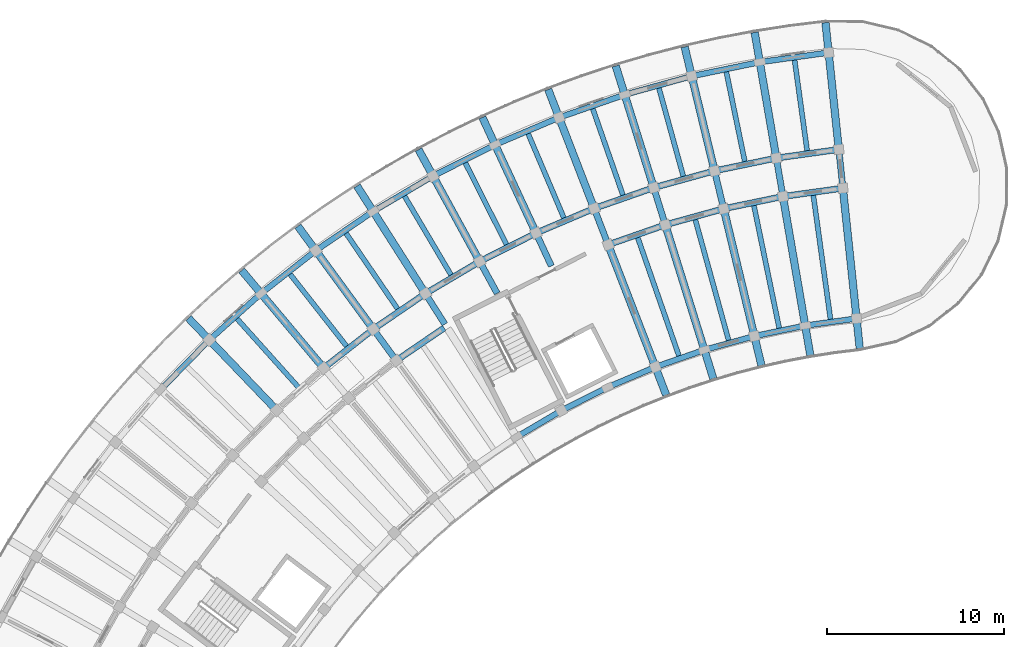
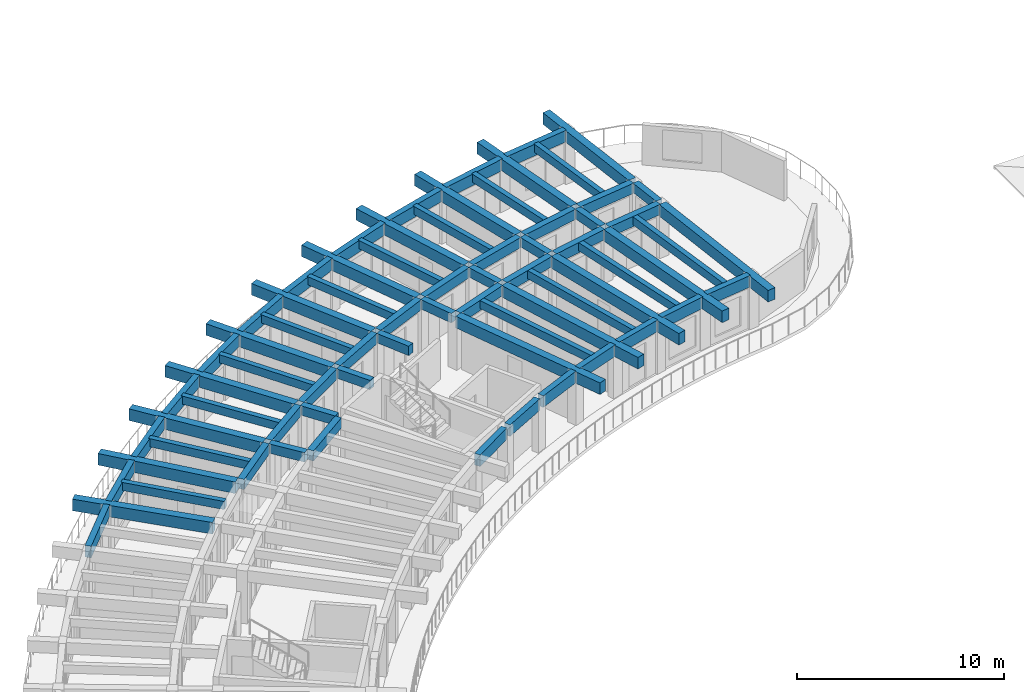
# One storey, part 14 of 81: 71 beams.
"""IFC4 building model written with IfcOpenShell, lengths in metres."""

from ifc_helpers import new_model, si_unit, direction, frame, origin, origin_2d, place, context, subcontext, project, spatial, rectangle, extrude, material, material_profile, profile_set, type_object, element, save


model = new_model("IFC4")

# Units and contexts
model_context = context("Model", 3, precision=1e-05, world=origin(), true_north=direction((0.0, 1.0)))
body_context = subcontext(model_context, "Body", "Model", "MODEL_VIEW")
ifc_project = project(units=[si_unit("LENGTHUNIT", "METRE"), si_unit("AREAUNIT", "SQUARE_METRE"), si_unit("VOLUMEUNIT", "CUBIC_METRE"), si_unit("PLANEANGLEUNIT", "RADIAN"), si_unit("MASSUNIT", "GRAM", prefix="KILO")], contexts=[model_context])

# Site, building, storey
site_placement = place(None, origin())
site = spatial("IfcSite", under=ifc_project, at=site_placement, CompositionType="ELEMENT")
building_placement = place(site_placement, origin())
building = spatial("IfcBuilding", under=site, at=building_placement, Name="Tanwirah Colonnade Gardens", CompositionType="ELEMENT")
storey_placement = place(building_placement, frame((0.0, 0.0, 8.840087890625)))
storey = spatial("IfcBuildingStorey", under=building, at=storey_placement, Name="L02", CompositionType="ELEMENT", Elevation=8.840087890625)

# Beams
ifc_material_1 = material(Name="Precast concrete C40/50", Category="concrete")
ifc_material_profile_1 = material_profile(ifc_material_1, rectangle(XDim=0.35009765625, YDim=0.550048828125, at=origin_2d()), Name="PC-BM 350x550")
ifc_profile_set_1 = profile_set([ifc_material_profile_1], Name="Precast concrete C40/50")
beam_type_1 = type_object("IfcBeamType", Name="BM-PC350A", PredefinedType="BEAM", material=ifc_profile_set_1)
for number, where, z_axis, x_axis, name in (
    (1, (59.564453125, 111.9150390625, 2.829833984375), (-0.104464057197, 0.994528662611, 0.0), (-0.994528662611, -0.104464057197, 0.0), "Block A L02 Corridor Tie Beam 0"),
    (2, (56.1689453125, 111.444580078125, 2.829833984375), (-0.169855285462, 0.985469016256, 0.0), (-0.985469016256, -0.169855285462, 0.0), "Block A L02 Corridor Tie Beam 1"),
    (3, (52.811767578125, 110.75146484375, 2.829833984375), (-0.234364199778, 0.972148868159, 0.0), (-0.972148868159, -0.234364199778, 0.0), "Block A L02 Corridor Tie Beam 2"),
):
    element("IfcBeam", number, at=place(storey_placement, frame(where, z_axis=z_axis, x_axis=x_axis)), inside=storey, type_object=beam_type_1, Name=name, PredefinedType="BEAM", context=body_context, shape_type="SweptSolid", body=[
        extrude(rectangle(XDim=0.35009765625, YDim=0.550048828125, at=origin_2d()), origin(), (0.0, 0.0, 1.0), 1.900146484375),
    ])
for number, where, z_axis, x_axis, name in (
    (4, (49.507568359375, 109.838623046875, 2.829833984375), (-0.297857918398, 0.954610213882, 0.0), (-0.954610213882, -0.297857918398, 0.0), "Block A L02 Corridor Tie Beam 3"),
    (5, (46.270751953125, 108.7099609375, 2.829833984375), (-0.360175656082, 0.932884503444, 0.0), (-0.932884503444, -0.360175656082, 0.0), "Block A L02 Corridor Tie Beam 4"),
    (6, (43.115234375, 107.37060546875, 2.829833984375), (-0.420858322681, 0.90712638162, 0.0), (-0.90712638162, -0.420858322681, 0.0), "Block A L02 Corridor Tie Beam 5"),
    (7, (40.054931640625, 105.826171875, 2.829833984375), (-0.479707235792, 0.877428611301, 0.0), (-0.877428611301, -0.479707235792, 0.0), "Block A L02 Corridor Tie Beam 6"),
    (8, (37.10302734375, 104.08349609375, 2.829833984375), (-0.536509579595, 0.843894229749, 0.0), (-0.843894229749, -0.536509579595, 0.0), "Block A L02 Corridor Tie Beam 7"),
):
    element("IfcBeam", number, at=place(storey_placement, frame(where, z_axis=z_axis, x_axis=x_axis)), inside=storey, type_object=beam_type_1, Name=name, PredefinedType="BEAM", context=body_context, shape_type="SweptSolid", body=[
        extrude(rectangle(XDim=0.35009765625, YDim=0.550048828125, at=origin_2d()), origin(), (0.0, 0.0, 1.0), 1.89990234375),
    ])
beam_1_placement = place(storey_placement, frame((34.272216796875, 102.14990234375, 2.829833984375), z_axis=(-0.590895676149, 0.806747977939, 0.0), x_axis=(-0.806747977939, -0.590895676149, 0.0)))
element("IfcBeam", 9, at=beam_1_placement, inside=storey, type_object=beam_type_1, Name="Block A L02 Corridor Tie Beam 8", PredefinedType="BEAM", context=body_context, shape_type="SweptSolid", body=[
    extrude(rectangle(XDim=0.35009765625, YDim=0.550048828125, at=origin_2d()), origin(), (0.0, 0.0, 1.0), 1.900146484375),
])
ifc_material_profile_2 = material_profile(ifc_material_1, rectangle(XDim=0.35009765625, YDim=0.60009765625, at=origin_2d()), Name="PC-BM 350x600")
ifc_profile_set_2 = profile_set([ifc_material_profile_2], Name="Precast concrete C40/50")
beam_type_2 = type_object("IfcBeamType", Name="BM-PC350B", PredefinedType="BEAM", material=ifc_profile_set_2)
beam_2_placement = place(storey_placement, frame((59.431640625, 111.745361328125, 2.804931640625), z_axis=(-0.990535787723, -0.137254702069, 0.0), x_axis=(0.137254702069, -0.990535787723, 0.0)))
element("IfcBeam", 10, at=beam_2_placement, inside=storey, type_object=beam_type_2, Name="Block A L02 Circumferential Beam 0-R1", PredefinedType="BEAM", context=body_context, shape_type="SweptSolid", body=[
    extrude(rectangle(XDim=0.35009765625, YDim=0.60009765625, at=origin_2d()), origin(), (0.0, 0.0, 1.0), 3.1181640625),
])
beam_3_placement = place(storey_placement, frame((59.20166015625, 113.933349609375, 2.804931640625), z_axis=(-0.990530465749, -0.13729310406, 0.0), x_axis=(0.13729310406, -0.990530465749, 0.0)))
element("IfcBeam", 11, at=beam_3_placement, inside=storey, type_object=beam_type_2, Name="Block A L02 Circumferential Beam 0-R2", PredefinedType="BEAM", context=body_context, shape_type="SweptSolid", body=[
    extrude(rectangle(XDim=0.35009765625, YDim=0.60009765625, at=origin_2d()), origin(), (0.0, 0.0, 1.0), 3.26318359375),
])
beam_4_placement = place(storey_placement, frame((56.047607421875, 111.2666015625, 2.804931640625), z_axis=(-0.979335880607, -0.202240532428, 0.0), x_axis=(0.202240532428, -0.979335880607, 0.0)))
element("IfcBeam", 12, at=beam_4_placement, inside=storey, type_object=beam_type_2, Name="Block A L02 Circumferential Beam 1-R1", PredefinedType="BEAM", context=body_context, shape_type="SweptSolid", body=[
    extrude(rectangle(XDim=0.35009765625, YDim=0.60009765625, at=origin_2d()), origin(), (0.0, 0.0, 1.0), 3.1181640625),
])
beam_5_placement = place(storey_placement, frame((55.673828125, 113.4345703125, 2.804931640625), z_axis=(-0.979335599813, -0.202241892146, 0.0), x_axis=(0.202241892146, -0.979335599813, 0.0)))
element("IfcBeam", 13, at=beam_5_placement, inside=storey, type_object=beam_type_2, Name="Block A L02 Circumferential Beam 1-R2", PredefinedType="BEAM", context=body_context, shape_type="SweptSolid", body=[
    extrude(rectangle(XDim=0.35009765625, YDim=0.60009765625, at=origin_2d()), origin(), (0.0, 0.0, 1.0), 3.262939453125),
])
beam_6_placement = place(storey_placement, frame((52.702392578125, 110.565673828125, 2.804931640625), z_axis=(-0.963894965188, -0.266282737114, 0.0), x_axis=(0.266282737114, -0.963894965188, 0.0)))
element("IfcBeam", 14, at=beam_6_placement, inside=storey, type_object=beam_type_2, Name="Block A L02 Circumferential Beam 2-R1", PredefinedType="BEAM", context=body_context, shape_type="SweptSolid", body=[
    extrude(rectangle(XDim=0.35009765625, YDim=0.60009765625, at=origin_2d()), origin(), (0.0, 0.0, 1.0), 3.1181640625),
])
beam_7_placement = place(storey_placement, frame((52.186767578125, 112.704345703125, 2.804931640625), z_axis=(-0.9638953302, -0.266281415833, 0.0), x_axis=(0.266281415833, -0.9638953302, 0.0)))
element("IfcBeam", 15, at=beam_7_placement, inside=storey, type_object=beam_type_2, Name="Block A L02 Circumferential Beam 2-R2", PredefinedType="BEAM", context=body_context, shape_type="SweptSolid", body=[
    extrude(rectangle(XDim=0.35009765625, YDim=0.60009765625, at=origin_2d()), origin(), (0.0, 0.0, 1.0), 3.26318359375),
])
beam_8_placement = place(storey_placement, frame((49.41064453125, 109.64599609375, 2.804931640625), z_axis=(-0.944248304077, -0.329234172358, 0.0), x_axis=(0.329234172358, -0.944248304077, 0.0)))
element("IfcBeam", 16, at=beam_8_placement, inside=storey, type_object=beam_type_2, Name="Block A L02 Circumferential Beam 3-R1", PredefinedType="BEAM", context=body_context, shape_type="SweptSolid", body=[
    extrude(rectangle(XDim=0.35009765625, YDim=0.60009765625, at=origin_2d()), origin(), (0.0, 0.0, 1.0), 3.1181640625),
])
for number, where, z_axis, x_axis, name in (
    (17, (48.755126953125, 111.74609375, 2.804931640625), (-0.944231021702, -0.329283734272, 0.0), (0.329283734272, -0.944231021702, 0.0), "Block A L02 Circumferential Beam 3-R2"),
    (18, (45.394287109375, 110.563720703125, 2.804931640625), (-0.920513294115, -0.390711242938, 0.0), (0.390711242938, -0.920513294115, 0.0), "Block A L02 Circumferential Beam 4-R2"),
):
    element("IfcBeam", number, at=place(storey_placement, frame(where, z_axis=z_axis, x_axis=x_axis)), inside=storey, type_object=beam_type_2, Name=name, PredefinedType="BEAM", context=body_context, shape_type="SweptSolid", body=[
        extrude(rectangle(XDim=0.35009765625, YDim=0.60009765625, at=origin_2d()), origin(), (0.0, 0.0, 1.0), 3.262939453125),
    ])
for number, where, z_axis, x_axis, name in (
    (19, (42.11865234375, 109.16259765625, 2.804931640625), (-0.89276014323, -0.450532270387, 0.0), (0.450532270387, -0.89276014323, 0.0), "Block A L02 Circumferential Beam 5-R2"),
    (20, (38.9423828125, 107.548583984375, 2.804931640625), (-0.861134978964, -0.508376384193, 0.0), (0.508376384193, -0.861134978964, 0.0), "Block A L02 Circumferential Beam 6-R2"),
):
    element("IfcBeam", number, at=place(storey_placement, frame(where, z_axis=z_axis, x_axis=x_axis)), inside=storey, type_object=beam_type_2, Name=name, PredefinedType="BEAM", context=body_context, shape_type="SweptSolid", body=[
        extrude(rectangle(XDim=0.35009765625, YDim=0.60009765625, at=origin_2d()), origin(), (0.0, 0.0, 1.0), 3.26318359375),
    ])
beam_9_placement = place(storey_placement, frame((37.0595703125, 103.872314453125, 2.804931640625), z_axis=(-0.825758291455, -0.564024152047, 0.0), x_axis=(0.564024152047, -0.825758291455, 0.0)))
element("IfcBeam", 21, at=beam_9_placement, inside=storey, type_object=beam_type_2, Name="Block A L02 Circumferential Beam 7-R1", PredefinedType="BEAM", context=body_context, shape_type="SweptSolid", body=[
    extrude(rectangle(XDim=0.35009765625, YDim=0.60009765625, at=origin_2d()), origin(), (0.0, 0.0, 1.0), 3.118408203125),
])
for number, where, z_axis, x_axis, name in (
    (22, (35.87939453125, 105.728759765625, 2.804931640625), (-0.825782284145, -0.563989024, 0.0), (0.563989024, -0.825782284145, 0.0), "Block A L02 Circumferential Beam 7-R2"),
    (23, (32.94287109375, 103.711181640625, 2.804931640625), (-0.786839882256, -0.617157192044, 0.0), (0.617157192044, -0.786839882256, 0.0), "Block A L02 Circumferential Beam 8-R2"),
):
    element("IfcBeam", number, at=place(storey_placement, frame(where, z_axis=z_axis, x_axis=x_axis)), inside=storey, type_object=beam_type_2, Name=name, PredefinedType="BEAM", context=body_context, shape_type="SweptSolid", body=[
        extrude(rectangle(XDim=0.35009765625, YDim=0.60009765625, at=origin_2d()), origin(), (0.0, 0.0, 1.0), 3.26318359375),
    ])
ifc_material_2 = material(Name="Precast concrete C45/55", Category="concrete")
ifc_material_profile_3 = material_profile(ifc_material_2, rectangle(XDim=0.419921875, YDim=0.679931640625, at=origin_2d()), Name="PC-BM 420x680")
ifc_profile_set_3 = profile_set([ifc_material_profile_3], Name="Precast concrete C45/55")
beam_type_3 = type_object("IfcBeamType", Name="BM-PC420", PredefinedType="BEAM", material=ifc_profile_set_3)
beam_10_placement = place(storey_placement, frame((59.595947265625, 111.61669921875, 2.764892578125), z_axis=(0.104531425475, -0.994521584023, 0.0), x_axis=(0.994521584023, 0.104531425475, 0.0)))
element("IfcBeam", 24, at=beam_10_placement, inside=storey, type_object=beam_type_3, Name="Block A L02 Inner Radial Precast Girder 0", PredefinedType="BEAM", context=body_context, shape_type="SweptSolid", body=[
    extrude(rectangle(XDim=0.419921875, YDim=0.679931640625, at=origin_2d()), origin(), (0.0, 0.0, 1.0), 8.949951171875),
])
beam_11_placement = place(storey_placement, frame((59.33447265625, 114.10302734375, 2.764892578125), z_axis=(-0.104511730475, 0.994523653913, 0.0), x_axis=(-0.994523653913, -0.104511730475, 0.0)))
element("IfcBeam", 25, at=beam_11_placement, inside=storey, type_object=beam_type_3, Name="Block A L02 Outer Radial Precast Girder 0", PredefinedType="BEAM", context=body_context, shape_type="SweptSolid", body=[
    extrude(rectangle(XDim=0.419921875, YDim=0.679931640625, at=origin_2d()), origin(), (0.0, 0.0, 1.0), 7.050048828125),
])
beam_12_placement = place(storey_placement, frame((56.219970703125, 111.14892578125, 2.764892578125), z_axis=(0.169837490725, -0.985472083189, 0.0), x_axis=(0.985472083189, 0.169837490725, 0.0)))
element("IfcBeam", 26, at=beam_12_placement, inside=storey, type_object=beam_type_3, Name="Block A L02 Inner Radial Precast Girder 1", PredefinedType="BEAM", context=body_context, shape_type="SweptSolid", body=[
    extrude(rectangle(XDim=0.419921875, YDim=0.679931640625, at=origin_2d()), origin(), (0.0, 0.0, 1.0), 8.949951171875),
])
beam_13_placement = place(storey_placement, frame((55.79541015625, 113.61279296875, 2.764892578125), z_axis=(-0.169826898404, 0.985473908624, 0.0), x_axis=(-0.985473908624, -0.169826898404, 0.0)))
element("IfcBeam", 27, at=beam_13_placement, inside=storey, type_object=beam_type_3, Name="Block A L02 Outer Radial Precast Girder 1", PredefinedType="BEAM", context=body_context, shape_type="SweptSolid", body=[
    extrude(rectangle(XDim=0.419921875, YDim=0.679931640625, at=origin_2d()), origin(), (0.0, 0.0, 1.0), 7.0498046875),
])
beam_14_placement = place(storey_placement, frame((52.882080078125, 110.459716796875, 2.764892578125), z_axis=(0.234401428133, -0.972139892448, 0.0), x_axis=(0.972139892448, 0.234401428133, 0.0)))
element("IfcBeam", 28, at=beam_14_placement, inside=storey, type_object=beam_type_3, Name="Block A L02 Inner Radial Precast Girder 2", PredefinedType="BEAM", context=body_context, shape_type="SweptSolid", body=[
    extrude(rectangle(XDim=0.419921875, YDim=0.679931640625, at=origin_2d()), origin(), (0.0, 0.0, 1.0), 8.949951171875),
])
beam_15_placement = place(storey_placement, frame((52.296142578125, 112.89013671875, 2.764892578125), z_axis=(-0.234378734126, 0.972145364125, 0.0), x_axis=(-0.972145364125, -0.234378734126, 0.0)))
element("IfcBeam", 29, at=beam_15_placement, inside=storey, type_object=beam_type_3, Name="Block A L02 Outer Radial Precast Girder 2", PredefinedType="BEAM", context=body_context, shape_type="SweptSolid", body=[
    extrude(rectangle(XDim=0.419921875, YDim=0.679931640625, at=origin_2d()), origin(), (0.0, 0.0, 1.0), 7.0498046875),
])
beam_16_placement = place(storey_placement, frame((49.596923828125, 109.55224609375, 2.764892578125), z_axis=(0.29792861283, -0.9545881529, 0.0), x_axis=(0.9545881529, 0.29792861283, 0.0)))
element("IfcBeam", 30, at=beam_16_placement, inside=storey, type_object=beam_type_3, Name="Block A L02 Inner Radial Precast Girder 3", PredefinedType="BEAM", context=body_context, shape_type="SweptSolid", body=[
    extrude(rectangle(XDim=0.419921875, YDim=0.679931640625, at=origin_2d()), origin(), (0.0, 0.0, 1.0), 8.9501953125),
])
beam_17_placement = place(storey_placement, frame((48.852294921875, 111.938720703125, 2.764892578125), z_axis=(-0.297957513373, 0.954579132511, 0.0), x_axis=(-0.954579132511, -0.297957513373, 0.0)))
element("IfcBeam", 31, at=beam_17_placement, inside=storey, type_object=beam_type_3, Name="Block A L02 Outer Radial Precast Girder 3", PredefinedType="BEAM", context=body_context, shape_type="SweptSolid", body=[
    extrude(rectangle(XDim=0.419921875, YDim=0.679931640625, at=origin_2d()), origin(), (0.0, 0.0, 1.0), 7.050048828125),
])
beam_18_placement = place(storey_placement, frame((46.37890625, 108.43017578125, 2.764892578125), z_axis=(0.360155980892, -0.932892099563, 0.0), x_axis=(0.932892099563, 0.360155980892, 0.0)))
element("IfcBeam", 32, at=beam_18_placement, inside=storey, type_object=beam_type_3, Name="Block A L02 Inner Radial Precast Girder 4", PredefinedType="BEAM", context=body_context, shape_type="SweptSolid", body=[
    extrude(rectangle(XDim=0.419921875, YDim=0.679931640625, at=origin_2d()), origin(), (0.0, 0.0, 1.0), 8.949951171875),
])
for number, where, z_axis, x_axis, name in (
    (33, (45.478271484375, 110.76220703125, 2.764892578125), (-0.360150678391, 0.932894146651, 0.0), (-0.932894146651, -0.360150678391, 0.0), "Block A L02 Outer Radial Precast Girder 4"),
    (34, (42.189453125, 109.3662109375, 2.764892578125), (-0.420855908645, 0.9071275016, 0.0), (-0.9071275016, -0.420855908645, 0.0), "Block A L02 Outer Radial Precast Girder 5"),
    (35, (38.99951171875, 107.75634765625, 2.764892578125), (-0.479686549155, 0.877439920769, 0.0), (-0.877439920769, -0.479686549155, 0.0), "Block A L02 Outer Radial Precast Girder 6"),
    (36, (35.922607421875, 105.93994140625, 2.764892578125), (-0.536476584537, 0.8439152056, 0.0), (-0.8439152056, -0.536476584537, 0.0), "Block A L02 Outer Radial Precast Girder 7"),
    (37, (32.97216796875, 103.9248046875, 2.764892578125), (-0.590919194225, 0.806730751798, 0.0), (-0.806730751798, -0.590919194225, 0.0), "Block A L02 Outer Radial Precast Girder 8"),
):
    element("IfcBeam", number, at=place(storey_placement, frame(where, z_axis=z_axis, x_axis=x_axis)), inside=storey, type_object=beam_type_3, Name=name, PredefinedType="BEAM", context=body_context, shape_type="SweptSolid", body=[
        extrude(rectangle(XDim=0.419921875, YDim=0.679931640625, at=origin_2d()), origin(), (0.0, 0.0, 1.0), 7.050048828125),
    ])
beam_19_placement = place(storey_placement, frame((30.160888671875, 101.7197265625, 2.764892578125), z_axis=(-0.642810291951, 0.766025409867, 0.0), x_axis=(-0.766025409867, -0.642810291951, 0.0)))
element("IfcBeam", 38, at=beam_19_placement, inside=storey, type_object=beam_type_3, Name="Block A L02 Outer Radial Precast Girder 9", PredefinedType="BEAM", context=body_context, shape_type="SweptSolid", body=[
    extrude(rectangle(XDim=0.419921875, YDim=0.679931640625, at=origin_2d()), origin(), (0.0, 0.0, 1.0), 7.0498046875),
])
beam_20_placement = place(storey_placement, frame((27.5009765625, 99.333984375, 2.764892578125), z_axis=(-0.691864746793, 0.722027127015, 0.0), x_axis=(-0.722027127015, -0.691864746793, 0.0)))
element("IfcBeam", 39, at=beam_20_placement, inside=storey, type_object=beam_type_3, Name="Block A L02 Outer Radial Precast Girder 10", PredefinedType="BEAM", context=body_context, shape_type="SweptSolid", body=[
    extrude(rectangle(XDim=0.419921875, YDim=0.679931640625, at=origin_2d()), origin(), (0.0, 0.0, 1.0), 7.050048828125),
])
ifc_material_profile_4 = material_profile(ifc_material_1, rectangle(XDim=0.280029296875, YDim=0.47998046875, at=origin_2d()), Name="PC-JST 280x480")
ifc_profile_set_4 = profile_set([ifc_material_profile_4], Name="Precast concrete C40/50")
beam_type_4 = type_object("IfcBeamType", Name="JST-PC280", PredefinedType="JOIST", material=ifc_profile_set_4)
beam_21_placement = place(storey_placement, frame((57.56494140625, 113.857421875, 2.864990234375), z_axis=(-0.137248344923, 0.990536668587, 0.0), x_axis=(-0.990536668587, -0.137248344923, 0.0)))
element("IfcBeam", 40, at=beam_21_placement, inside=storey, type_object=beam_type_4, Name="Block A L02 Precast Floor Joist 0", PredefinedType="JOIST", context=body_context, shape_type="SweptSolid", body=[
    extrude(rectangle(XDim=0.280029296875, YDim=0.47998046875, at=origin_2d()), origin(), (0.0, 0.0, 1.0), 5.260009765625),
])
beam_22_placement = place(storey_placement, frame((58.882568359375, 104.34814453125, 2.864990234375), z_axis=(-0.137243132462, 0.99053739081, 0.0), x_axis=(-0.99053739081, -0.137243132462, 0.0)))
element("IfcBeam", 41, at=beam_22_placement, inside=storey, type_object=beam_type_4, Name="Block A L02 Inner Precast Floor Joist 0", PredefinedType="JOIST", context=body_context, shape_type="SweptSolid", body=[
    extrude(rectangle(XDim=0.280029296875, YDim=0.47998046875, at=origin_2d()), origin(), (0.0, 0.0, 1.0), 7.16015625),
])
beam_23_placement = place(storey_placement, frame((54.0458984375, 113.2509765625, 2.864990234375), z_axis=(-0.202235688429, 0.979336880918, 0.0), x_axis=(-0.979336880918, -0.202235688429, 0.0)))
element("IfcBeam", 42, at=beam_23_placement, inside=storey, type_object=beam_type_4, Name="Block A L02 Precast Floor Joist 1", PredefinedType="JOIST", context=body_context, shape_type="SweptSolid", body=[
    extrude(rectangle(XDim=0.280029296875, YDim=0.47998046875, at=origin_2d()), origin(), (0.0, 0.0, 1.0), 5.259765625),
])
beam_24_placement = place(storey_placement, frame((55.987060546875, 103.84912109375, 2.864990234375), z_axis=(-0.202197428816, 0.979344780851, 0.0), x_axis=(-0.979344780851, -0.202197428816, 0.0)))
element("IfcBeam", 43, at=beam_24_placement, inside=storey, type_object=beam_type_4, Name="Block A L02 Inner Precast Floor Joist 1", PredefinedType="JOIST", context=body_context, shape_type="SweptSolid", body=[
    extrude(rectangle(XDim=0.280029296875, YDim=0.47998046875, at=origin_2d()), origin(), (0.0, 0.0, 1.0), 7.16015625),
])
beam_25_placement = place(storey_placement, frame((50.57421875, 112.413818359375, 2.864990234375), z_axis=(-0.266281476085, 0.963895313555, 0.0), x_axis=(-0.963895313555, -0.266281476085, 0.0)))
element("IfcBeam", 44, at=beam_25_placement, inside=storey, type_object=beam_type_4, Name="Block A L02 Precast Floor Joist 2", PredefinedType="JOIST", context=body_context, shape_type="SweptSolid", body=[
    extrude(rectangle(XDim=0.280029296875, YDim=0.47998046875, at=origin_2d()), origin(), (0.0, 0.0, 1.0), 5.260009765625),
])
beam_26_placement = place(storey_placement, frame((53.130859375, 103.16064453125, 2.864990234375), z_axis=(-0.266307034535, 0.963888252526, 0.0), x_axis=(-0.963888252526, -0.266307034535, 0.0)))
element("IfcBeam", 45, at=beam_26_placement, inside=storey, type_object=beam_type_4, Name="Block A L02 Inner Precast Floor Joist 2", PredefinedType="JOIST", context=body_context, shape_type="SweptSolid", body=[
    extrude(rectangle(XDim=0.280029296875, YDim=0.47998046875, at=origin_2d()), origin(), (0.0, 0.0, 1.0), 7.159912109375),
])
beam_27_placement = place(storey_placement, frame((47.16552734375, 111.349853515625, 2.864990234375), z_axis=(-0.3292586038, 0.944239785131, 0.0), x_axis=(-0.944239785131, -0.3292586038, 0.0)))
element("IfcBeam", 46, at=beam_27_placement, inside=storey, type_object=beam_type_4, Name="Block A L02 Precast Floor Joist 3", PredefinedType="JOIST", context=body_context, shape_type="SweptSolid", body=[
    extrude(rectangle(XDim=0.280029296875, YDim=0.47998046875, at=origin_2d()), origin(), (0.0, 0.0, 1.0), 5.260009765625),
])
beam_28_placement = place(storey_placement, frame((50.326171875, 102.28515625, 2.864990234375), z_axis=(-0.329250558112, 0.944242590642, 0.0), x_axis=(-0.944242590642, -0.329250558112, 0.0)))
element("IfcBeam", 47, at=beam_28_placement, inside=storey, type_object=beam_type_4, Name="Block A L02 Inner Precast Floor Joist 3", PredefinedType="JOIST", context=body_context, shape_type="SweptSolid", body=[
    extrude(rectangle(XDim=0.280029296875, YDim=0.47998046875, at=origin_2d()), origin(), (0.0, 0.0, 1.0), 7.159912109375),
])
beam_29_placement = place(storey_placement, frame((43.833984375, 110.063720703125, 2.864990234375), z_axis=(-0.390723870106, 0.92050793442, 0.0), x_axis=(-0.92050793442, -0.390723870106, 0.0)))
element("IfcBeam", 48, at=beam_29_placement, inside=storey, type_object=beam_type_4, Name="Block A L02 Precast Floor Joist 4", PredefinedType="JOIST", context=body_context, shape_type="SweptSolid", body=[
    extrude(rectangle(XDim=0.280029296875, YDim=0.47998046875, at=origin_2d()), origin(), (0.0, 0.0, 1.0), 5.260009765625),
])
for number, where, z_axis, x_axis, name in (
    (49, (40.5947265625, 108.560791015625, 2.864990234375), (-0.450533699488, 0.892759422031, 0.0), (-0.892759422031, -0.450533699488, 0.0), "Block A L02 Precast Floor Joist 5"),
    (50, (37.46142578125, 106.84765625, 2.864990234375), (-0.508360236823, 0.86114451146, 0.0), (-0.86114451146, -0.508360236823, 0.0), "Block A L02 Precast Floor Joist 6"),
):
    element("IfcBeam", number, at=place(storey_placement, frame(where, z_axis=z_axis, x_axis=x_axis)), inside=storey, type_object=beam_type_4, Name=name, PredefinedType="JOIST", context=body_context, shape_type="SweptSolid", body=[
        extrude(rectangle(XDim=0.280029296875, YDim=0.47998046875, at=origin_2d()), origin(), (0.0, 0.0, 1.0), 5.26025390625),
    ])
for number, where, z_axis, x_axis, name in (
    (51, (34.44775390625, 104.931884765625, 2.864990234375), (-0.563973225998, 0.825793073571, 0.0), (-0.825793073571, -0.563973225998, 0.0), "Block A L02 Precast Floor Joist 7"),
    (52, (31.56689453125, 102.82177734375, 2.864990234375), (-0.617177687243, 0.786823806433, 0.0), (-0.786823806433, -0.617177687243, 0.0), "Block A L02 Precast Floor Joist 8"),
    (53, (28.831298828125, 100.5263671875, 2.864990234375), (-0.667678987176, 0.744449306591, 0.0), (-0.744449306591, -0.667678987176, 0.0), "Block A L02 Precast Floor Joist 9"),
):
    element("IfcBeam", number, at=place(storey_placement, frame(where, z_axis=z_axis, x_axis=x_axis)), inside=storey, type_object=beam_type_4, Name=name, PredefinedType="JOIST", context=body_context, shape_type="SweptSolid", body=[
        extrude(rectangle(XDim=0.280029296875, YDim=0.47998046875, at=origin_2d()), origin(), (0.0, 0.0, 1.0), 5.260009765625),
    ])
ifc_material_profile_5 = material_profile(ifc_material_2, rectangle(XDim=0.320068359375, YDim=0.679931640625, at=origin_2d()), Name="PC-SP 320x680")
ifc_profile_set_5 = profile_set([ifc_material_profile_5], Name="Precast concrete C45/55")
beam_type_5 = type_object("IfcBeamType", Name="SP-PC320", PredefinedType="SPANDREL", material=ifc_profile_set_5)
beam_30_placement = place(storey_placement, frame((60.205078125, 104.385986328125, 2.764892578125), z_axis=(-0.990531232354, -0.13728757311, 0.0), x_axis=(0.13728757311, -0.990531232354, 0.0)))
element("IfcBeam", 54, at=beam_30_placement, inside=storey, type_object=beam_type_5, Name="Block A L02 Circumferential Beam 0-R0", PredefinedType="SPANDREL", context=body_context, shape_type="SweptSolid", body=[
    extrude(rectangle(XDim=0.320068359375, YDim=0.679931640625, at=origin_2d()), origin(), (0.0, 0.0, 1.0), 2.630126953125),
])
beam_31_placement = place(storey_placement, frame((58.626708984375, 119.403076171875, 2.764892578125), z_axis=(-0.990538603978, -0.137234376268, 0.0), x_axis=(0.137234376268, -0.990538603978, 0.0)))
element("IfcBeam", 55, at=beam_31_placement, inside=storey, type_object=beam_type_5, Name="Block A L02 Circumferential Beam 0-R3", PredefinedType="SPANDREL", context=body_context, shape_type="SweptSolid", body=[
    extrude(rectangle(XDim=0.320068359375, YDim=0.679931640625, at=origin_2d()), origin(), (0.0, 0.0, 1.0), 3.625732421875),
])
beam_32_placement = place(storey_placement, frame((57.30419921875, 103.973876953125, 2.764892578125), z_axis=(-0.979351764611, -0.202163599974, 0.0), x_axis=(0.202163599974, -0.979351764611, 0.0)))
element("IfcBeam", 56, at=beam_32_placement, inside=storey, type_object=beam_type_5, Name="Block A L02 Circumferential Beam 1-R0", PredefinedType="SPANDREL", context=body_context, shape_type="SweptSolid", body=[
    extrude(rectangle(XDim=0.320068359375, YDim=0.679931640625, at=origin_2d()), origin(), (0.0, 0.0, 1.0), 2.630126953125),
])
beam_33_placement = place(storey_placement, frame((54.739990234375, 118.854736328125, 2.764892578125), z_axis=(-0.979328544205, -0.202276055197, 0.0), x_axis=(0.202276055197, -0.979328544205, 0.0)))
element("IfcBeam", 57, at=beam_33_placement, inside=storey, type_object=beam_type_5, Name="Block A L02 Circumferential Beam 1-R3", PredefinedType="SPANDREL", context=body_context, shape_type="SweptSolid", body=[
    extrude(rectangle(XDim=0.320068359375, YDim=0.679931640625, at=origin_2d()), origin(), (0.0, 0.0, 1.0), 3.625732421875),
])
beam_34_placement = place(storey_placement, frame((54.436767578125, 103.371826171875, 2.764892578125), z_axis=(-0.96388669146, -0.266312684688, 0.0), x_axis=(0.266312684688, -0.96388669146, 0.0)))
element("IfcBeam", 58, at=beam_34_placement, inside=storey, type_object=beam_type_5, Name="Block A L02 Circumferential Beam 2-R0", PredefinedType="SPANDREL", context=body_context, shape_type="SweptSolid", body=[
    extrude(rectangle(XDim=0.320068359375, YDim=0.679931640625, at=origin_2d()), origin(), (0.0, 0.0, 1.0), 2.630126953125),
])
beam_35_placement = place(storey_placement, frame((50.897705078125, 118.05126953125, 2.764892578125), z_axis=(-0.963888380927, -0.266306569792, 0.0), x_axis=(0.266306569792, -0.963888380927, 0.0)))
element("IfcBeam", 59, at=beam_35_placement, inside=storey, type_object=beam_type_5, Name="Block A L02 Circumferential Beam 2-R3", PredefinedType="SPANDREL", context=body_context, shape_type="SweptSolid", body=[
    extrude(rectangle(XDim=0.320068359375, YDim=0.679931640625, at=origin_2d()), origin(), (0.0, 0.0, 1.0), 3.625732421875),
])
beam_36_placement = place(storey_placement, frame((51.615478515625, 102.58203125, 2.764892578125), z_axis=(-0.944249847334, -0.32922974624, 0.0), x_axis=(0.32922974624, -0.944249847334, 0.0)))
element("IfcBeam", 60, at=beam_36_placement, inside=storey, type_object=beam_type_5, Name="Block A L02 Circumferential Beam 3-R0", PredefinedType="SPANDREL", context=body_context, shape_type="SweptSolid", body=[
    extrude(rectangle(XDim=0.320068359375, YDim=0.679931640625, at=origin_2d()), origin(), (0.0, 0.0, 1.0), 2.63037109375),
])
beam_37_placement = place(storey_placement, frame((47.11669921875, 116.996337890625, 2.764892578125), z_axis=(-0.944236700093, -0.329267450863, 0.0), x_axis=(0.329267450863, -0.944236700093, 0.0)))
element("IfcBeam", 61, at=beam_37_placement, inside=storey, type_object=beam_type_5, Name="Block A L02 Circumferential Beam 3-R3", PredefinedType="SPANDREL", context=body_context, shape_type="SweptSolid", body=[
    extrude(rectangle(XDim=0.320068359375, YDim=0.679931640625, at=origin_2d()), origin(), (0.0, 0.0, 1.0), 3.625732421875),
])
beam_38_placement = place(storey_placement, frame((48.85205078125, 101.608154296875, 2.764892578125), z_axis=(-0.920488719784, -0.390769134848, 0.0), x_axis=(0.390769134848, -0.920488719784, 0.0)))
element("IfcBeam", 62, at=beam_38_placement, inside=storey, type_object=beam_type_5, Name="Block A L02 Circumferential Beam 4-R0", PredefinedType="SPANDREL", context=body_context, shape_type="SweptSolid", body=[
    extrude(rectangle(XDim=0.320068359375, YDim=0.679931640625, at=origin_2d()), origin(), (0.0, 0.0, 1.0), 2.63037109375),
])
beam_39_placement = place(storey_placement, frame((43.413330078125, 115.694580078125, 2.764892578125), z_axis=(-0.920494456807, -0.390755620545, 0.0), x_axis=(0.390755620545, -0.920494456807, 0.0)))
element("IfcBeam", 63, at=beam_39_placement, inside=storey, type_object=beam_type_5, Name="Block A L02 Circumferential Beam 4-R3", PredefinedType="SPANDREL", context=body_context, shape_type="SweptSolid", body=[
    extrude(rectangle(XDim=0.320068359375, YDim=0.679931640625, at=origin_2d()), origin(), (0.0, 0.0, 1.0), 3.625732421875),
])
beam_40_placement = place(storey_placement, frame((46.158935546875, 100.4541015625, 2.764892578125), z_axis=(-0.892769015158, -0.450514689632, 0.0), x_axis=(0.450514689632, -0.892769015158, 0.0)))
element("IfcBeam", 64, at=beam_40_placement, inside=storey, type_object=beam_type_5, Name="Block A L02 Circumferential Beam 5-R0", PredefinedType="SPANDREL", context=body_context, shape_type="SweptSolid", body=[
    extrude(rectangle(XDim=0.320068359375, YDim=0.679931640625, at=origin_2d()), origin(), (0.0, 0.0, 1.0), 2.63037109375),
])
beam_41_placement = place(storey_placement, frame((39.803955078125, 114.15185546875, 2.764892578125), z_axis=(-0.892764670911, -0.450523298368, 0.0), x_axis=(0.450523298368, -0.892764670911, 0.0)))
element("IfcBeam", 65, at=beam_41_placement, inside=storey, type_object=beam_type_5, Name="Block A L02 Circumferential Beam 5-R3", PredefinedType="SPANDREL", context=body_context, shape_type="SweptSolid", body=[
    extrude(rectangle(XDim=0.320068359375, YDim=0.679931640625, at=origin_2d()), origin(), (0.0, 0.0, 1.0), 3.6259765625),
])
beam_42_placement = place(storey_placement, frame((43.547607421875, 99.125244140625, 2.764892578125), z_axis=(-0.861148181788, -0.508354019363, 0.0), x_axis=(0.508354019363, -0.861148181788, 0.0)))
element("IfcBeam", 66, at=beam_42_placement, inside=storey, type_object=beam_type_5, Name="Block A L02 Circumferential Beam 6-R0", PredefinedType="SPANDREL", context=body_context, shape_type="SweptSolid", body=[
    extrude(rectangle(XDim=0.320068359375, YDim=0.679931640625, at=origin_2d()), origin(), (0.0, 0.0, 1.0), 2.63037109375),
])
for number, where, z_axis, x_axis, name in (
    (67, (36.303955078125, 112.37451171875, 2.764892578125), (-0.861136912545, -0.5083731089, 0.0), (0.5083731089, -0.861136912545, 0.0), "Block A L02 Circumferential Beam 6-R3"),
    (68, (32.9287109375, 110.370361328125, 2.764892578125), (-0.825782625102, -0.563988524776, 0.0), (0.563988524776, -0.825782625102, 0.0), "Block A L02 Circumferential Beam 7-R3"),
):
    element("IfcBeam", number, at=place(storey_placement, frame(where, z_axis=z_axis, x_axis=x_axis)), inside=storey, type_object=beam_type_5, Name=name, PredefinedType="SPANDREL", context=body_context, shape_type="SweptSolid", body=[
        extrude(rectangle(XDim=0.320068359375, YDim=0.679931640625, at=origin_2d()), origin(), (0.0, 0.0, 1.0), 3.625732421875),
    ])
beam_43_placement = place(storey_placement, frame((29.69287109375, 108.148193359375, 2.764892578125), z_axis=(-0.786843799845, -0.617152197311, 0.0), x_axis=(0.617152197311, -0.786843799845, 0.0)))
element("IfcBeam", 69, at=beam_43_placement, inside=storey, type_object=beam_type_5, Name="Block A L02 Circumferential Beam 8-R3", PredefinedType="SPANDREL", context=body_context, shape_type="SweptSolid", body=[
    extrude(rectangle(XDim=0.320068359375, YDim=0.679931640625, at=origin_2d()), origin(), (0.0, 0.0, 1.0), 3.62548828125),
])
beam_44_placement = place(storey_placement, frame((26.6103515625, 105.7177734375, 2.764892578125), z_axis=(-0.744444790955, -0.667684021989, 0.0), x_axis=(0.667684021989, -0.744444790955, 0.0)))
element("IfcBeam", 70, at=beam_44_placement, inside=storey, type_object=beam_type_5, Name="Block A L02 Circumferential Beam 9-R3", PredefinedType="SPANDREL", context=body_context, shape_type="SweptSolid", body=[
    extrude(rectangle(XDim=0.320068359375, YDim=0.679931640625, at=origin_2d()), origin(), (0.0, 0.0, 1.0), 3.625732421875),
])
beam_45_placement = place(storey_placement, frame((23.69482421875, 103.089599609375, 2.764892578125), z_axis=(-0.698844493997, -0.715273635199, 0.0), x_axis=(0.715273635199, -0.698844493997, 0.0)))
element("IfcBeam", 71, at=beam_45_placement, inside=storey, type_object=beam_type_5, Name="Block A L02 Circumferential Beam 10-R3", PredefinedType="SPANDREL", context=body_context, shape_type="SweptSolid", body=[
    extrude(rectangle(XDim=0.320068359375, YDim=0.679931640625, at=origin_2d()), origin(), (0.0, 0.0, 1.0), 3.6259765625),
])

save(model, "model.ifc")
